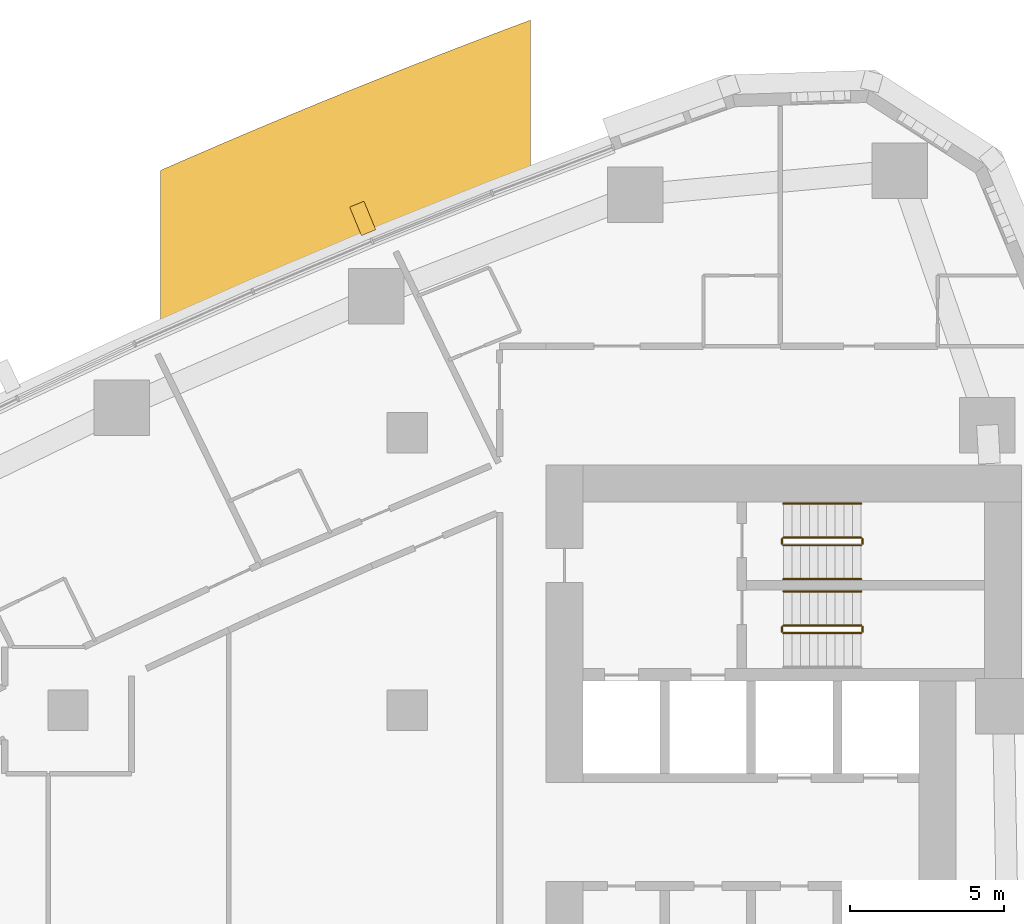
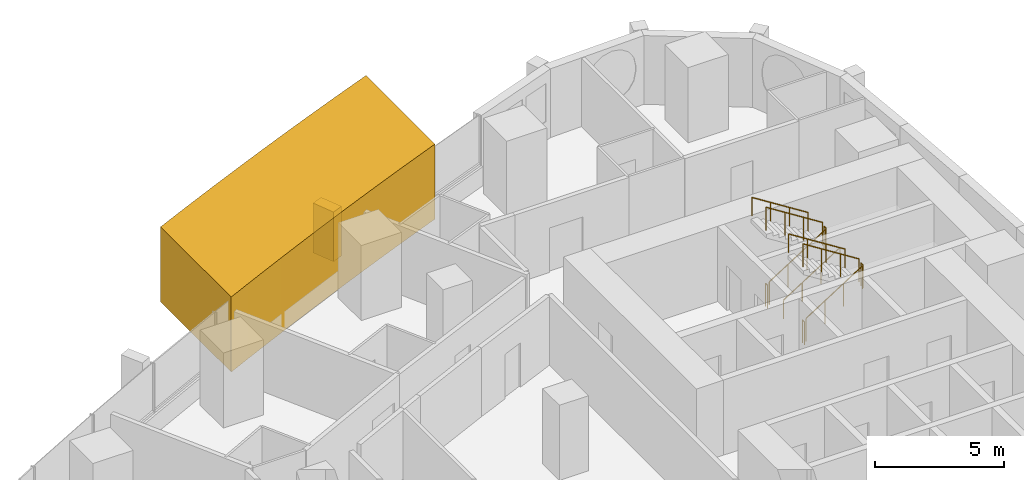
# One storey, part 18 of 19: 11 railings, 2 coverings.
"""IFC4 building model written with IfcOpenShell, lengths in metres."""

from ifc_helpers import new_model, si_unit, direction, frame, frame_2d, origin, origin_2d, place, context, subcontext, project, spatial, polyline, rectangle, circle, outline, extrude, material, layer, layer_set, type_object, element, save


model = new_model("IFC4")

# Units and contexts
model_context = context("Model", 3, precision=1e-05, world=origin(), true_north=direction((0.0, 1.0)))
body_context = subcontext(model_context, "Body", "Model", "MODEL_VIEW")
ifc_project = project(units=[si_unit("LENGTHUNIT", "METRE"), si_unit("AREAUNIT", "SQUARE_METRE"), si_unit("VOLUMEUNIT", "CUBIC_METRE"), si_unit("PLANEANGLEUNIT", "RADIAN"), si_unit("MASSUNIT", "GRAM", prefix="KILO")], contexts=[model_context])

# Site, building, storey
site_placement = place(None, origin())
site = spatial("IfcSite", under=ifc_project, at=site_placement, CompositionType="ELEMENT")
building_placement = place(site_placement, origin())
building = spatial("IfcBuilding", under=site, at=building_placement, Name="Ostrand Prow Hotel Tower", CompositionType="ELEMENT")
storey_placement = place(building_placement, frame((0.0, 0.0, 50.25)))
storey = spatial("IfcBuildingStorey", under=building, at=storey_placement, Name="L10", CompositionType="ELEMENT", Elevation=50.25)

# Coverings
ifc_material_1 = material(Name="Limestone cladding", Category="masonry")
ifc_layer_1 = layer(ifc_material_1, 5.0)
ifc_layer_set_1 = layer_set([ifc_layer_1], Name="Limestone cladding")
covering_type_1 = type_object("IfcCoveringType", Name="Portal jamb pilaster limestone", PredefinedType="CLADDING", material=ifc_layer_set_1)
covering_1_placement = place(storey_placement, origin())
element("IfcCovering", 1, at=covering_1_placement, inside=storey, type_object=covering_type_1, Name="Portal jamb NB L10", PredefinedType="CLADDING", context=body_context, shape_type="SweptSolid", body=[
    extrude(outline(polyline([(37.0, 21.037109375), (38.0, 21.484619140625), (39.0, 21.9267578125), (40.0, 22.363037109375), (41.0, 22.793701171875), (42.0, 23.218505859375), (43.0, 23.637939453125), (44.0, 24.051513671875), (45.0, 24.459716796875), (46.0, 24.862548828125), (47.0, 25.259765625), (48.0, 25.6513671875), (49.0, 26.03759765625), (49.0, 31.384521484375), (48.0, 31.0078125), (47.0, 30.62548828125), (46.0, 30.23828125), (45.0, 29.845703125), (44.0, 29.447509765625), (43.0, 29.044189453125), (42.0, 28.635498046875), (41.0, 28.22119140625), (40.0, 27.801513671875), (39.0, 27.376220703125), (38.0, 26.945556640625), (37.0, 26.50927734375), (37.0, 21.037109375)])), origin(), (0.0, 0.0, 1.0), 3.550048828125),
])
ifc_material_2 = material(Name="Limestone cladding", Category="masonry")
ifc_layer_2 = layer(ifc_material_2, 0.5)
ifc_layer_set_2 = layer_set([ifc_layer_2], Name="Limestone cladding")
covering_type_2 = type_object("IfcCoveringType", Name="Precast stone fin 500x900", PredefinedType="CLADDING", material=ifc_layer_set_2)
covering_2_placement = place(storey_placement, frame((43.74560546875, 24.487548828125, 0.89990234375), z_axis=(0.0, 0.0, 1.0), x_axis=(-0.380590179681, 0.924743810539, 0.0)))
element("IfcCovering", 2, at=covering_2_placement, inside=storey, type_object=covering_type_2, Name="Stone fin N 3", PredefinedType="CLADDING", context=body_context, shape_type="SweptSolid", body=[
    extrude(rectangle(XDim=1.0, YDim=0.5, at=frame_2d((0.5, 0.0))), origin(), (0.0, 0.0, 1.0), 2.35009765625),
])

# Railings
ifc_material_3 = material(Name="Painted steel", Category="steel")
railing_type_1 = type_object("IfcRailingType", Name="Stair guard 1100", PredefinedType="GUARDRAIL", material=ifc_material_3)
railing_1_placement = place(storey_placement, frame((57.199951171875, 11.5, 0.177490234375)))
element("IfcRailing", 3, at=railing_1_placement, inside=storey, type_object=railing_type_1, Name="L10 ST1C stair guard 1", PredefinedType="GUARDRAIL", context=body_context, shape_type="SweptSolid", body=[
    extrude(circle(Radius=0.02392578125, at=origin_2d()), frame((0.0, 0.0, 1.076171875), z_axis=(0.84460694969, 0.0, 0.535386869969), x_axis=(0.0, 1.0, 0.0)), (0.0, 0.0, 1.0), 2.983642578125),
    extrude(circle(Radius=0.02099609375, at=origin_2d()), origin(), (0.0, 0.0, 1.0), 1.052001953125),
    extrude(circle(Radius=0.02099609375, at=origin_2d()), frame((0.840087890625, 0.0, 0.532470703125)), (0.0, 0.0, 1.0), 1.052001953125),
    extrude(circle(Radius=0.02099609375, at=origin_2d()), frame((1.679931640625, 0.0, 1.06494140625)), (0.0, 0.0, 1.0), 1.052001953125),
    extrude(circle(Radius=0.02099609375, at=origin_2d()), frame((2.52001953125, 0.0, 1.597412109375)), (0.0, 0.0, 1.0), 1.052001953125),
])
railing_2_placement = place(storey_placement, frame((59.77001953125, 11.550048828125, 1.77490234375)))
element("IfcRailing", 4, at=railing_2_placement, inside=storey, type_object=railing_type_1, Name="L10 ST1C stair guard 2", PredefinedType="GUARDRAIL", context=body_context, shape_type="SweptSolid", body=[
    extrude(circle(Radius=0.02392578125, at=origin_2d()), frame((0.0, 0.0, 1.076171875), z_axis=(0.0, 1.0, 0.0), x_axis=(-1.0, 0.0, 0.0)), (0.0, 0.0, 1.0), 0.14990234375),
    extrude(circle(Radius=0.02099609375, at=origin_2d()), origin(), (0.0, 0.0, 1.0), 1.052001953125),
    extrude(circle(Radius=0.02099609375, at=origin_2d()), frame((0.0, 0.14990234375, 0.0)), (0.0, 0.0, 1.0), 1.052001953125),
])
railing_3_placement = place(storey_placement, frame((59.719970703125, 11.75, 1.952392578125)))
element("IfcRailing", 5, at=railing_3_placement, inside=storey, type_object=railing_type_1, Name="L10 ST1C stair guard 3", PredefinedType="GUARDRAIL", context=body_context, shape_type="SweptSolid", body=[
    extrude(circle(Radius=0.02392578125, at=origin_2d()), frame((0.0, 0.0, 1.076171875), z_axis=(-0.84456994832, 0.0, 0.535445237532), x_axis=(0.0, -1.0, 0.0)), (0.0, 0.0, 1.0), 2.98388671875),
    extrude(circle(Radius=0.02099609375, at=origin_2d()), origin(), (0.0, 0.0, 1.0), 1.052001953125),
    extrude(circle(Radius=0.02099609375, at=origin_2d()), frame((-0.840087890625, 0.0, 0.532470703125)), (0.0, 0.0, 1.0), 1.052001953125),
    extrude(circle(Radius=0.02099609375, at=origin_2d()), frame((-1.679931640625, 0.0, 1.065185546875)), (0.0, 0.0, 1.0), 1.052001953125),
    extrude(circle(Radius=0.02099609375, at=origin_2d()), frame((-2.52001953125, 0.0, 1.59765625)), (0.0, 0.0, 1.0), 1.052001953125),
])
railing_4_placement = place(storey_placement, frame((57.14990234375, 11.550048828125, 0.0)))
element("IfcRailing", 6, at=railing_4_placement, inside=storey, type_object=railing_type_1, Name="L10 ST1C stair guard 4", PredefinedType="GUARDRAIL", context=body_context, shape_type="SweptSolid", body=[
    extrude(circle(Radius=0.02392578125, at=origin_2d()), frame((0.0, 0.0, 1.076171875), z_axis=(0.0, 1.0, 0.0), x_axis=(-1.0, 0.0, 0.0)), (0.0, 0.0, 1.0), 0.14990234375),
    extrude(circle(Radius=0.02099609375, at=origin_2d()), origin(), (0.0, 0.0, 1.0), 1.052001953125),
    extrude(circle(Radius=0.02099609375, at=origin_2d()), frame((0.0, 0.14990234375, 0.0)), (0.0, 0.0, 1.0), 1.052001953125),
])
railing_5_placement = place(storey_placement, frame((57.199951171875, 14.35009765625, 0.177490234375)))
element("IfcRailing", 7, at=railing_5_placement, inside=storey, type_object=railing_type_1, Name="L10 ST3C stair guard 1", PredefinedType="GUARDRAIL", context=body_context, shape_type="SweptSolid", body=[
    extrude(circle(Radius=0.02392578125, at=origin_2d()), frame((0.0, 0.0, 1.076171875), z_axis=(0.84460694969, 0.0, 0.535386869969), x_axis=(0.0, 1.0, 0.0)), (0.0, 0.0, 1.0), 2.983642578125),
    extrude(circle(Radius=0.02099609375, at=origin_2d()), origin(), (0.0, 0.0, 1.0), 1.052001953125),
    extrude(circle(Radius=0.02099609375, at=origin_2d()), frame((0.840087890625, 0.0, 0.532470703125)), (0.0, 0.0, 1.0), 1.052001953125),
    extrude(circle(Radius=0.02099609375, at=origin_2d()), frame((1.679931640625, 0.0, 1.06494140625)), (0.0, 0.0, 1.0), 1.052001953125),
    extrude(circle(Radius=0.02099609375, at=origin_2d()), frame((2.52001953125, 0.0, 1.597412109375)), (0.0, 0.0, 1.0), 1.052001953125),
])
railing_6_placement = place(storey_placement, frame((59.77001953125, 14.39990234375, 1.77490234375)))
element("IfcRailing", 8, at=railing_6_placement, inside=storey, type_object=railing_type_1, Name="L10 ST3C stair guard 2", PredefinedType="GUARDRAIL", context=body_context, shape_type="SweptSolid", body=[
    extrude(circle(Radius=0.02392578125, at=origin_2d()), frame((0.0, 0.0, 1.076171875), z_axis=(0.0, 1.0, 0.0), x_axis=(-1.0, 0.0, 0.0)), (0.0, 0.0, 1.0), 0.150146484375),
    extrude(circle(Radius=0.02099609375, at=origin_2d()), origin(), (0.0, 0.0, 1.0), 1.052001953125),
    extrude(circle(Radius=0.02099609375, at=origin_2d()), frame((0.0, 0.150146484375, 0.0)), (0.0, 0.0, 1.0), 1.052001953125),
])
railing_7_placement = place(storey_placement, frame((59.719970703125, 14.60009765625, 1.952392578125)))
element("IfcRailing", 9, at=railing_7_placement, inside=storey, type_object=railing_type_1, Name="L10 ST3C stair guard 3", PredefinedType="GUARDRAIL", context=body_context, shape_type="SweptSolid", body=[
    extrude(circle(Radius=0.02392578125, at=origin_2d()), frame((0.0, 0.0, 1.076171875), z_axis=(-0.84456994832, 0.0, 0.535445237532), x_axis=(0.0, -1.0, 0.0)), (0.0, 0.0, 1.0), 2.98388671875),
    extrude(circle(Radius=0.02099609375, at=origin_2d()), origin(), (0.0, 0.0, 1.0), 1.052001953125),
    extrude(circle(Radius=0.02099609375, at=origin_2d()), frame((-0.840087890625, 0.0, 0.532470703125)), (0.0, 0.0, 1.0), 1.052001953125),
    extrude(circle(Radius=0.02099609375, at=origin_2d()), frame((-1.679931640625, 0.0, 1.065185546875)), (0.0, 0.0, 1.0), 1.052001953125),
    extrude(circle(Radius=0.02099609375, at=origin_2d()), frame((-2.52001953125, 0.0, 1.59765625)), (0.0, 0.0, 1.0), 1.052001953125),
])
railing_8_placement = place(storey_placement, frame((57.14990234375, 14.39990234375, 0.0)))
element("IfcRailing", 10, at=railing_8_placement, inside=storey, type_object=railing_type_1, Name="L10 ST3C stair guard 4", PredefinedType="GUARDRAIL", context=body_context, shape_type="SweptSolid", body=[
    extrude(circle(Radius=0.02392578125, at=origin_2d()), frame((0.0, 0.0, 1.076171875), z_axis=(0.0, 1.0, 0.0), x_axis=(-1.0, 0.0, 0.0)), (0.0, 0.0, 1.0), 0.150146484375),
    extrude(circle(Radius=0.02099609375, at=origin_2d()), origin(), (0.0, 0.0, 1.0), 1.052001953125),
    extrude(circle(Radius=0.02099609375, at=origin_2d()), frame((0.0, 0.150146484375, 0.0)), (0.0, 0.0, 1.0), 1.052001953125),
])
ifc_material_4 = material(Name="Stainless steel", Category="steel")
railing_type_2 = type_object("IfcRailingType", Name="Stair handrail 900", PredefinedType="HANDRAIL", material=ifc_material_4)
railing_9_placement = place(storey_placement, frame((59.719970703125, 12.85009765625, 1.952392578125)))
element("IfcRailing", 11, at=railing_9_placement, inside=storey, type_object=railing_type_2, Name="L10 ST1C stair handrail 2", PredefinedType="HANDRAIL", context=body_context, shape_type="SweptSolid", body=[
    extrude(circle(Radius=0.02392578125, at=origin_2d()), frame((0.0, 0.0, 0.8759765625), z_axis=(-0.84456994832, 0.0, 0.535445237532), x_axis=(0.0, -1.0, 0.0)), (0.0, 0.0, 1.0), 2.98388671875),
    extrude(circle(Radius=0.02099609375, at=origin_2d()), origin(), (0.0, 0.0, 1.0), 0.851806640625),
    extrude(circle(Radius=0.02099609375, at=origin_2d()), frame((-0.840087890625, 0.0, 0.532470703125)), (0.0, 0.0, 1.0), 0.851806640625),
    extrude(circle(Radius=0.02099609375, at=origin_2d()), frame((-1.679931640625, 0.0, 1.065185546875)), (0.0, 0.0, 1.0), 0.851806640625),
    extrude(circle(Radius=0.02099609375, at=origin_2d()), frame((-2.52001953125, 0.0, 1.59765625)), (0.0, 0.0, 1.0), 0.851806640625),
])
railing_10_placement = place(storey_placement, frame((57.199951171875, 13.25, 0.177490234375)))
element("IfcRailing", 12, at=railing_10_placement, inside=storey, type_object=railing_type_2, Name="L10 ST3C stair handrail 1", PredefinedType="HANDRAIL", context=body_context, shape_type="SweptSolid", body=[
    extrude(circle(Radius=0.02392578125, at=origin_2d()), frame((0.0, 0.0, 0.8759765625), z_axis=(0.84460694969, 0.0, 0.535386869969), x_axis=(0.0, 1.0, 0.0)), (0.0, 0.0, 1.0), 2.983642578125),
    extrude(circle(Radius=0.02099609375, at=origin_2d()), origin(), (0.0, 0.0, 1.0), 0.851806640625),
    extrude(circle(Radius=0.02099609375, at=origin_2d()), frame((0.840087890625, 0.0, 0.532470703125)), (0.0, 0.0, 1.0), 0.851806640625),
    extrude(circle(Radius=0.02099609375, at=origin_2d()), frame((1.679931640625, 0.0, 1.06494140625)), (0.0, 0.0, 1.0), 0.851806640625),
    extrude(circle(Radius=0.02099609375, at=origin_2d()), frame((2.52001953125, 0.0, 1.597412109375)), (0.0, 0.0, 1.0), 0.851806640625),
])
railing_11_placement = place(storey_placement, frame((59.719970703125, 15.699951171875, 1.952392578125)))
element("IfcRailing", 13, at=railing_11_placement, inside=storey, type_object=railing_type_2, Name="L10 ST3C stair handrail 2", PredefinedType="HANDRAIL", context=body_context, shape_type="SweptSolid", body=[
    extrude(circle(Radius=0.02392578125, at=origin_2d()), frame((0.0, 0.0, 0.8759765625), z_axis=(-0.84456994832, 0.0, 0.535445237532), x_axis=(0.0, -1.0, 0.0)), (0.0, 0.0, 1.0), 2.98388671875),
    extrude(circle(Radius=0.02099609375, at=origin_2d()), origin(), (0.0, 0.0, 1.0), 0.851806640625),
    extrude(circle(Radius=0.02099609375, at=origin_2d()), frame((-0.840087890625, 0.0, 0.532470703125)), (0.0, 0.0, 1.0), 0.851806640625),
    extrude(circle(Radius=0.02099609375, at=origin_2d()), frame((-1.679931640625, 0.0, 1.065185546875)), (0.0, 0.0, 1.0), 0.851806640625),
    extrude(circle(Radius=0.02099609375, at=origin_2d()), frame((-2.52001953125, 0.0, 1.59765625)), (0.0, 0.0, 1.0), 0.851806640625),
])

save(model, "model.ifc")
